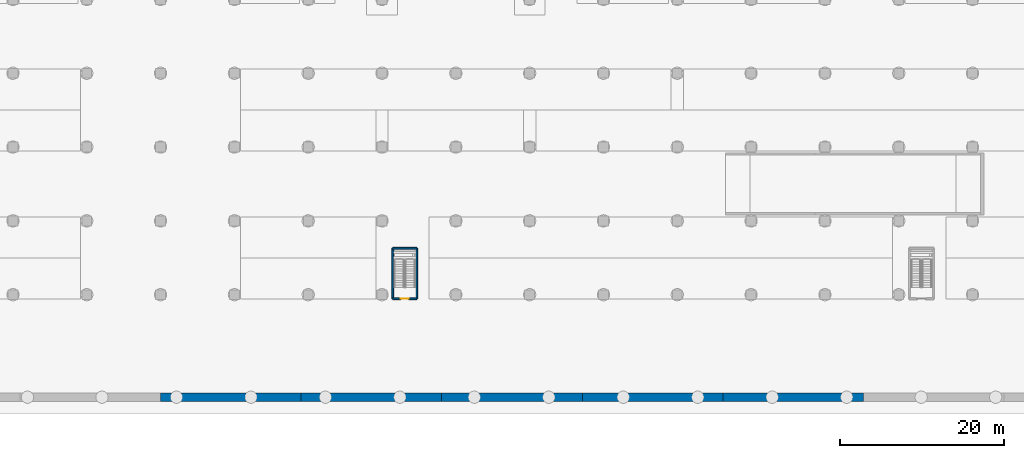
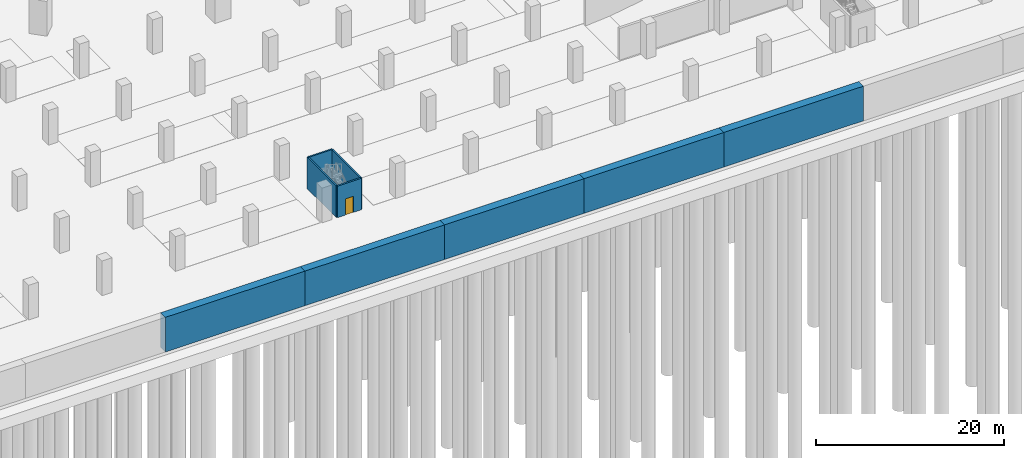
# One storey, part 16 of 39: 9 walls, 1 door, 1 opening.
"""IFC4 building model written with IfcOpenShell, lengths in metres."""

from ifc_helpers import new_model, si_unit, direction, frame, frame_2d, origin, place, context, subcontext, project, spatial, rectangle, extrude, material, layer, layer_set, type_object, element, fill, save


model = new_model("IFC4")

# Units and contexts
model_context = context("Model", 3, precision=1e-05, world=origin(), true_north=direction((0.0, 1.0)))
body_context = subcontext(model_context, "Body", "Model", "MODEL_VIEW")
ifc_project = project(units=[si_unit("LENGTHUNIT", "METRE"), si_unit("AREAUNIT", "SQUARE_METRE"), si_unit("VOLUMEUNIT", "CUBIC_METRE"), si_unit("PLANEANGLEUNIT", "RADIAN"), si_unit("MASSUNIT", "GRAM", prefix="KILO")], contexts=[model_context])

# Site, building, storey
site_placement = place(None, origin())
site = spatial("IfcSite", under=ifc_project, at=site_placement, CompositionType="ELEMENT")
building_placement = place(site_placement, origin())
building = spatial("IfcBuilding", under=site, at=building_placement, Name="Ogive Gate Towers", CompositionType="ELEMENT")
storey_placement = place(building_placement, frame((0.0, 0.0, -9.0)))
storey = spatial("IfcBuildingStorey", under=building, at=storey_placement, Name="B2", CompositionType="ELEMENT", Elevation=-9.0)

# Wall, opening, door
ifc_material_1 = material(Name="Reinforced concrete C32/40", Category="concrete")
ifc_layer_1 = layer(ifc_material_1, 0.199951171875)
ifc_layer_set_1 = layer_set([ifc_layer_1], Name="Car park stair shaft wall 200")
wall_type_1 = type_object("IfcWallType", Name="Car park stair shaft wall 200", PredefinedType="SOLIDWALL", material=ifc_layer_set_1)
wall_1_placement = place(storey_placement, frame((31.25, -63.5, 0.0), z_axis=(0.0, 0.0, 1.0), x_axis=(-1.0, 0.0, 0.0)))
wall_1 = element("IfcWall", 1, at=wall_1_placement, inside=storey, type_object=wall_type_1, Name="CS7 stair shaft wall B2 1", PredefinedType="SOLIDWALL", context=body_context, shape_type="SweptSolid", body=[
    extrude(rectangle(XDim=2.949951171875, YDim=0.199951171875, at=frame_2d((1.47509765625, 0.0))), origin(), (0.0, 0.0, 1.0), 4.10009765625),
])
opening_placement = place(wall_1_placement, frame((0.97509765625, 0.0, 0.0)))
opening = element("IfcOpeningElement", 2, at=opening_placement, cuts=wall_1, Name="Opening CPD37-B2", PredefinedType="OPENING", context=body_context, shape_type="SweptSolid", body=[
    extrude(rectangle(XDim=1.0, YDim=2.10009765625, at=frame_2d((0.5, 1.050048828125))), frame((0.0, 0.10986328125, 0.0), z_axis=(0.0, -1.0, 0.0), x_axis=(1.0, 0.0, 0.0)), (0.0, 0.0, 1.0), 0.219970703125),
])
ifc_material_2 = material(Name="Painted steel door", Category="steel")
door_type = type_object("IfcDoorType", Name="Stair house door 1000 x 2100", OperationType="SINGLE_SWING_LEFT", PredefinedType="DOOR", material=ifc_material_2)
door_placement = place(opening_placement, origin())
door = element("IfcDoor", 3, at=door_placement, inside=storey, type_object=door_type, Name="Door CS7 stair B2", OperationType="SINGLE_SWING_LEFT", OverallHeight=2.10009765625, OverallWidth=1.0, PredefinedType="DOOR", context=body_context, shape_type="SweptSolid", body=[
    extrude(rectangle(XDim=1.0, YDim=2.10009765625, at=frame_2d((0.5, 1.050048828125))), frame((0.0, 0.02490234375, 0.0), z_axis=(0.0, -1.0, 0.0), x_axis=(1.0, 0.0, 0.0)), (0.0, 0.0, 1.0), 0.050048828125),
])
fill(opening, door)

# Walls
wall_2_placement = place(storey_placement, frame((28.300048828125, -63.5, 0.0), z_axis=(0.0, 0.0, 1.0), x_axis=(0.0, 1.0, 0.0)))
element("IfcWall", 4, at=wall_2_placement, inside=storey, type_object=wall_type_1, Name="CS7 stair shaft wall B2 2", PredefinedType="SOLIDWALL", context=body_context, shape_type="SweptSolid", body=[
    extrude(rectangle(XDim=6.159912109375, YDim=0.199951171875, at=frame_2d((3.080078125, 0.0))), origin(), (0.0, 0.0, 1.0), 4.10009765625),
])
wall_3_placement = place(storey_placement, frame((28.300048828125, -57.340087890625, 0.0), z_axis=(0.0, 0.0, 1.0), x_axis=(1.0, 0.0, 0.0)))
element("IfcWall", 5, at=wall_3_placement, inside=storey, type_object=wall_type_1, Name="CS7 stair shaft wall B2 3", PredefinedType="SOLIDWALL", context=body_context, shape_type="SweptSolid", body=[
    extrude(rectangle(XDim=2.949951171875, YDim=0.199951171875, at=frame_2d((1.47509765625, 0.0))), origin(), (0.0, 0.0, 1.0), 4.10009765625),
])
wall_4_placement = place(storey_placement, frame((31.25, -57.340087890625, 0.0), z_axis=(0.0, 0.0, 1.0), x_axis=(0.0, -1.0, 0.0)))
element("IfcWall", 6, at=wall_4_placement, inside=storey, type_object=wall_type_1, Name="CS7 stair shaft wall B2 4", PredefinedType="SOLIDWALL", context=body_context, shape_type="SweptSolid", body=[
    extrude(rectangle(XDim=6.159912109375, YDim=0.199951171875, at=frame_2d((3.080078125, 0.0))), origin(), (0.0, 0.0, 1.0), 4.10009765625),
])
ifc_material_3 = material(Name="Concrete C40/50", Category="concrete")
ifc_layer_2 = layer(ifc_material_3, 1.0)
ifc_layer_set_2 = layer_set([ifc_layer_2], Name="Retaining wall 1000")
wall_type_2 = type_object("IfcWallType", Name="Retaining wall 1000", PredefinedType="SOLIDWALL", material=ifc_layer_set_2)
for number, where, z_axis, x_axis, name in (
    (7, (85.69677734375, -75.5, 0.0), (0.0, 0.0, 1.0), (-1.0, 0.0, 0.0), "BS/B2/SWL003"),
    (8, (68.557373046875, -75.5, 0.0), (0.0, 0.0, 1.0), (-1.0, 0.0, 0.0), "BS/B2/SWL004"),
):
    element("IfcWall", number, at=place(storey_placement, frame(where, z_axis=z_axis, x_axis=x_axis)), inside=storey, type_object=wall_type_2, Name=name, PredefinedType="SOLIDWALL", context=body_context, shape_type="SweptSolid", body=[
        extrude(rectangle(XDim=17.139404296875, YDim=1.0, at=frame_2d((8.56982421875, 0.0))), origin(), (0.0, 0.0, 1.0), 4.5),
    ])
wall_5_placement = place(storey_placement, frame((51.41796875, -75.5, 0.0), z_axis=(0.0, 0.0, 1.0), x_axis=(-1.0, 0.0, 0.0)))
element("IfcWall", 9, at=wall_5_placement, inside=storey, type_object=wall_type_2, Name="BS/B2/SWL005", PredefinedType="SOLIDWALL", context=body_context, shape_type="SweptSolid", body=[
    extrude(rectangle(XDim=17.13916015625, YDim=1.0, at=frame_2d((8.569580078125, 0.0))), origin(), (0.0, 0.0, 1.0), 4.5),
])
for number, where, z_axis, x_axis, name in (
    (10, (34.27880859375, -75.5, 0.0), (0.0, 0.0, 1.0), (-1.0, 0.0, 0.0), "BS/B2/SWL006"),
    (11, (17.139404296875, -75.5, 0.0), (0.0, 0.0, 1.0), (-1.0, 0.0, 0.0), "BS/B2/SWL007"),
):
    element("IfcWall", number, at=place(storey_placement, frame(where, z_axis=z_axis, x_axis=x_axis)), inside=storey, type_object=wall_type_2, Name=name, PredefinedType="SOLIDWALL", context=body_context, shape_type="SweptSolid", body=[
        extrude(rectangle(XDim=17.139404296875, YDim=1.0, at=frame_2d((8.56982421875, 0.0))), origin(), (0.0, 0.0, 1.0), 4.5),
    ])

save(model, "model.ifc")
